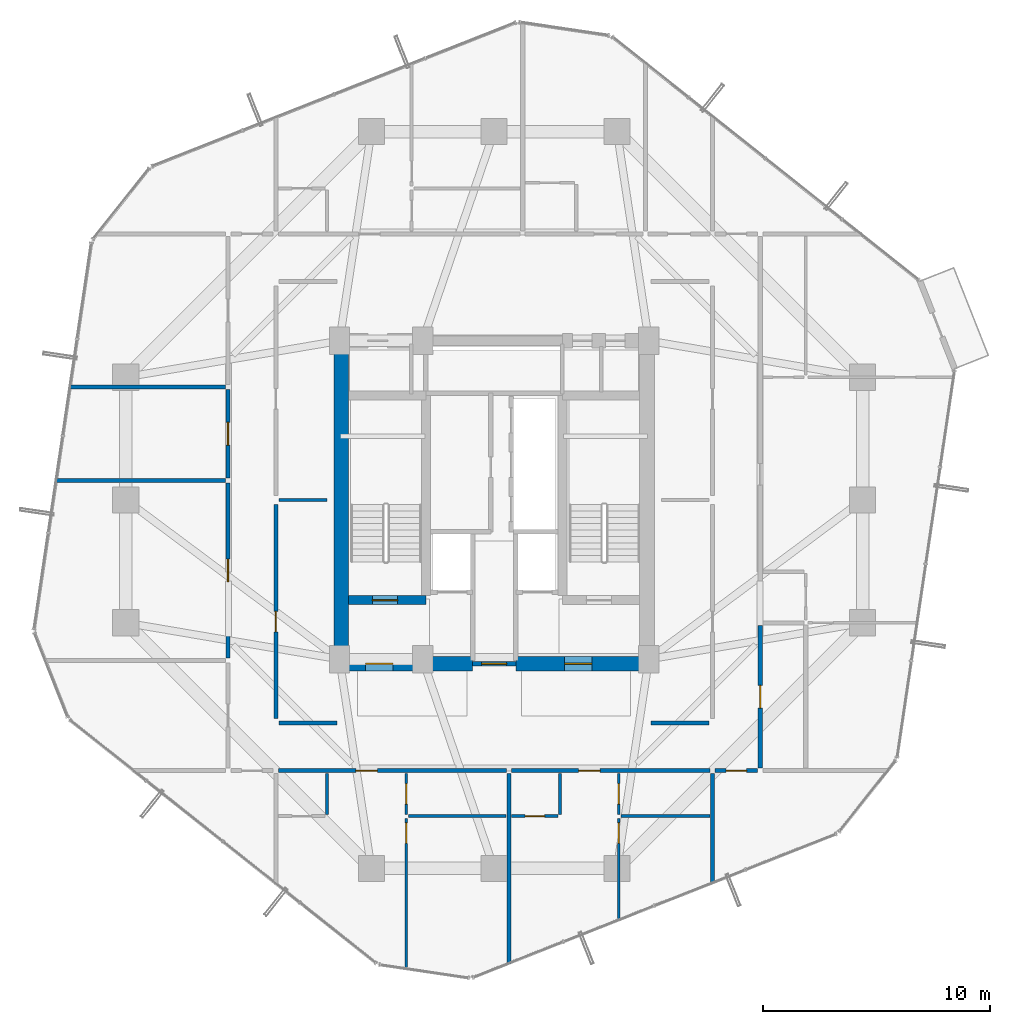
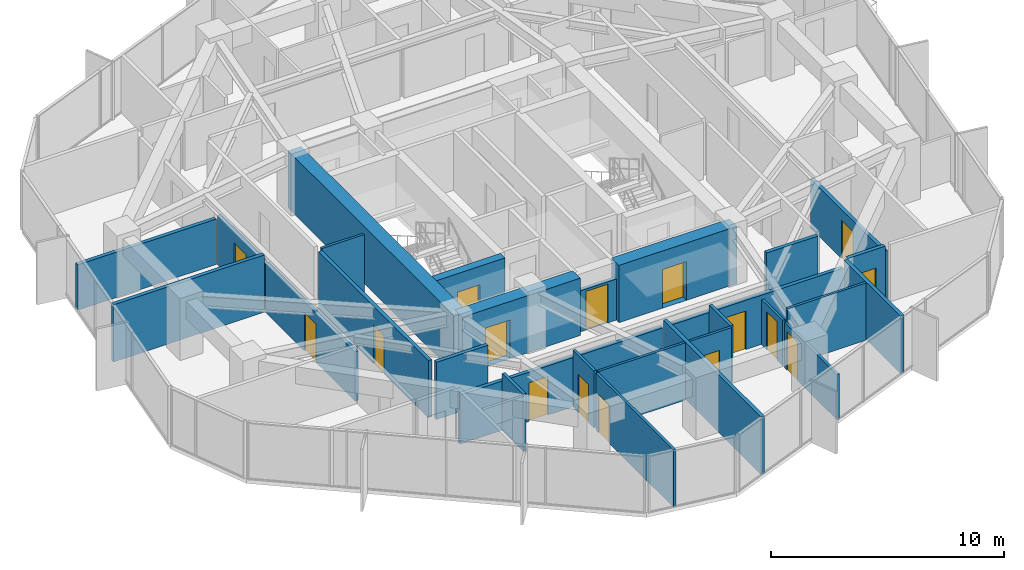
# One storey, part 24 of 29: 28 walls, 16 doors, 16 openings.
"""IFC4 building model written with IfcOpenShell, lengths in metres."""

from ifc_helpers import new_model, si_unit, direction, frame, frame_2d, origin, place, context, subcontext, project, spatial, rectangle, extrude, source, transform, mapped, material, layer, layer_set, type_object, element, fill, save


model = new_model("IFC4")

# Units and contexts
model_context = context("Model", 3, precision=1e-05, world=origin(), true_north=direction((0.0, 1.0)))
body_context = subcontext(model_context, "Body", "Model", "MODEL_VIEW")
ifc_project = project(units=[si_unit("LENGTHUNIT", "METRE"), si_unit("AREAUNIT", "SQUARE_METRE"), si_unit("VOLUMEUNIT", "CUBIC_METRE"), si_unit("PLANEANGLEUNIT", "RADIAN"), si_unit("MASSUNIT", "GRAM", prefix="KILO")], contexts=[model_context])

# Site, building, storey
site_placement = place(None, origin())
site = spatial("IfcSite", under=ifc_project, at=site_placement, CompositionType="ELEMENT")
building_placement = place(site_placement, origin())
building = spatial("IfcBuilding", under=site, at=building_placement, Name="Veraguas Prism Commons", CompositionType="ELEMENT")
storey_placement = place(building_placement, frame((0.0, 0.0, 99.199951171875)))
storey = spatial("IfcBuildingStorey", under=building, at=storey_placement, Name="L27", CompositionType="ELEMENT", Elevation=99.199951171875)

# Wall, opening, door
ifc_material_1 = material(Name="Concrete C50/60", Category="concrete")
ifc_layer_1 = layer(ifc_material_1, 0.39990234375, Name="Clinic and Mid Core Shear Wall RC 400", Category="concrete")
ifc_layer_set_1 = layer_set([ifc_layer_1], Name="Concrete C50/60")
wall_type_1 = type_object("IfcWallType", Name="Clinic and Mid Core Shear Wall RC 400", PredefinedType="SHEAR", material=ifc_layer_set_1)
wall_1_placement = place(storey_placement, frame((17.60009765625, 19.60009765625, 0.0), z_axis=(0.0, 0.0, 1.0), x_axis=(1.0, 0.0, 0.0)))
wall_1 = element("IfcWall", 1, at=wall_1_placement, inside=storey, type_object=wall_type_1, Name="Stair ST-01 South Shear Wall L27", PredefinedType="SHEAR", context=body_context, shape_type="SweptSolid", body=[
    extrude(rectangle(XDim=3.39990234375, YDim=0.39990234375, at=frame_2d((1.699951171875, 0.0))), origin(), (0.0, 0.0, 1.0), 3.0),
])
opening_1_placement = place(wall_1_placement, frame((1.050048828125, 0.0, 0.0)))
opening_1 = element("IfcOpeningElement", 2, at=opening_1_placement, cuts=wall_1, Name="Opening DR-05", PredefinedType="OPENING", context=body_context, shape_type="SweptSolid", body=[
    extrude(rectangle(XDim=1.10009765625, YDim=2.030029296875, at=frame_2d((0.550048828125, 1.01513671875))), frame((0.0, 0.2099609375, 0.0), z_axis=(0.0, -1.0, 0.0), x_axis=(1.0, 0.0, 0.0)), (0.0, 0.0, 1.0), 0.419921875),
])
ifc_material_2 = material(Name="Steel fire-rated door assembly", Category="steel")
door_type_1 = type_object("IfcDoorType", Name="Protected Stair and Refuge Fire Door 1100x2030", OperationType="NOTDEFINED", PredefinedType="DOOR", material=ifc_material_2)
shared_shape_1 = source(origin(), body_context, "Body", "SweptSolid", [
    extrude(rectangle(XDim=1.10009765625, YDim=2.030029296875, at=frame_2d((0.550048828125, 1.01513671875))), frame((0.0, 0.02490234375, 0.0), z_axis=(0.0, -1.0, 0.0), x_axis=(1.0, 0.0, 0.0)), (0.0, 0.0, 1.0), 0.050048828125),
])
door_1_placement = place(opening_1_placement, origin())
door_1 = element("IfcDoor", 3, at=door_1_placement, inside=storey, type_object=door_type_1, Name="Stair ST-01 Enclosure Door L27", OperationType="SINGLE_SWING_LEFT", OverallHeight=2.030029296875, OverallWidth=1.10009765625, PredefinedType="DOOR", context=body_context, shape_type="MappedRepresentation", body=[
    mapped(shared_shape_1, transform((0.0, 0.0, 0.0), scale=1.0)),
])
fill(opening_1, door_1)

# Wall
ifc_material_3 = material(Name="Concrete C55/67", Category="concrete")
ifc_layer_2 = layer(ifc_material_3, 0.64990234375, Name="Core Outer Shear Wall Mid RC 650", Category="concrete")
ifc_layer_set_2 = layer_set([ifc_layer_2], Name="Concrete C55/67")
wall_type_2 = type_object("IfcWallType", Name="Core Outer Shear Wall Mid RC 650", PredefinedType="SHEAR", material=ifc_layer_set_2)
wall_2_placement = place(storey_placement, frame((17.27490234375, 16.800048828125, 0.0), z_axis=(0.0, 0.0, 1.0), x_axis=(0.0, 1.0, 0.0)))
element("IfcWall", 4, at=wall_2_placement, inside=storey, type_object=wall_type_2, Name="Central Core West Shear Wall L27", PredefinedType="SHEAR", context=body_context, shape_type="SweptSolid", body=[
    extrude(rectangle(XDim=14.199951171875, YDim=0.64990234375, at=frame_2d((7.10009765625, 0.0))), origin(), (0.0, 0.0, 1.0), 3.0),
])

# Wall, opening, door
wall_3_placement = place(storey_placement, frame((17.199951171875, 16.800048828125, 0.0), z_axis=(0.0, 0.0, 1.0), x_axis=(1.0, 0.0, 0.0)))
wall_3 = element("IfcWall", 5, at=wall_3_placement, inside=storey, type_object=wall_type_2, Name="Central Core South-West Shear Wall L27", PredefinedType="SHEAR", context=body_context, shape_type="SweptSolid", body=[
    extrude(rectangle(XDim=5.85009765625, YDim=0.64990234375, at=frame_2d((2.925048828125, 0.0))), origin(), (0.0, 0.0, 1.0), 3.0),
])
opening_2_placement = place(wall_3_placement, frame((1.14990234375, 0.0, 0.0)))
opening_2 = element("IfcOpeningElement", 6, at=opening_2_placement, cuts=wall_3, Name="Opening DR-06", PredefinedType="OPENING", context=body_context, shape_type="SweptSolid", body=[
    extrude(rectangle(XDim=1.199951171875, YDim=2.030029296875, at=frame_2d((0.60009765625, 1.01513671875))), frame((0.0, 0.3349609375, 0.0), z_axis=(0.0, -1.0, 0.0), x_axis=(1.0, 0.0, 0.0)), (0.0, 0.0, 1.0), 0.669921875),
])
door_type_2 = type_object("IfcDoorType", Name="Firefighting Lobby Smoke Door 1200x2030", OperationType="NOTDEFINED", PredefinedType="DOOR", material=ifc_material_2)
shared_shape_2 = source(origin(), body_context, "Body", "SweptSolid", [
    extrude(rectangle(XDim=1.199951171875, YDim=2.030029296875, at=frame_2d((0.60009765625, 1.01513671875))), frame((0.0, 0.02490234375, 0.0), z_axis=(0.0, -1.0, 0.0), x_axis=(1.0, 0.0, 0.0)), (0.0, 0.0, 1.0), 0.050048828125),
])
door_2_placement = place(opening_2_placement, origin())
door_2 = element("IfcDoor", 7, at=door_2_placement, inside=storey, type_object=door_type_2, Name="West FF Lobby Door L27", OperationType="SINGLE_SWING_LEFT", OverallHeight=2.030029296875, OverallWidth=1.199951171875, PredefinedType="DOOR", context=body_context, shape_type="MappedRepresentation", body=[
    mapped(shared_shape_2, transform((0.0, 0.0, 0.0), scale=1.0)),
])
fill(opening_2, door_2)

wall_4_placement = place(storey_placement, frame((24.949951171875, 16.800048828125, 0.0), z_axis=(0.0, 0.0, 1.0), x_axis=(1.0, 0.0, 0.0)))
wall_4 = element("IfcWall", 8, at=wall_4_placement, inside=storey, type_object=wall_type_2, Name="Central Core South-East Shear Wall L27", PredefinedType="SHEAR", context=body_context, shape_type="SweptSolid", body=[
    extrude(rectangle(XDim=5.85009765625, YDim=0.64990234375, at=frame_2d((2.925048828125, 0.0))), origin(), (0.0, 0.0, 1.0), 3.0),
])
opening_3_placement = place(wall_4_placement, frame((2.14990234375, 0.0, 0.0)))
opening_3 = element("IfcOpeningElement", 9, at=opening_3_placement, cuts=wall_4, Name="Opening DR-06", PredefinedType="OPENING", context=body_context, shape_type="SweptSolid", body=[
    extrude(rectangle(XDim=1.199951171875, YDim=2.030029296875, at=frame_2d((0.60009765625, 1.01513671875))), frame((0.0, 0.3349609375, 0.0), z_axis=(0.0, -1.0, 0.0), x_axis=(1.0, 0.0, 0.0)), (0.0, 0.0, 1.0), 0.669921875),
])
door_3_placement = place(opening_3_placement, origin())
door_3 = element("IfcDoor", 10, at=door_3_placement, inside=storey, type_object=door_type_2, Name="East FF Lobby Door L27", OperationType="SINGLE_SWING_LEFT", OverallHeight=2.030029296875, OverallWidth=1.199951171875, PredefinedType="DOOR", context=body_context, shape_type="MappedRepresentation", body=[
    mapped(shared_shape_2, transform((0.0, 0.0, 0.0), scale=1.0)),
])
fill(opening_3, door_3)

ifc_material_4 = material(Name="Autoclaved aerated masonry block 10 MPa", Category="masonry")
ifc_layer_3 = layer(ifc_material_4, 0.179931640625, Name="Corridor and Inter-Tenancy Partition 180", Category="masonry")
ifc_layer_set_3 = layer_set([ifc_layer_3], Name="Autoclaved aerated masonry block 10 MPa")
wall_type_3 = type_object("IfcWallType", Name="Corridor and Inter-Tenancy Partition 180", PredefinedType="PARTITIONING", material=ifc_layer_set_3)
wall_5_placement = place(storey_placement, frame((14.39990234375, 14.39990234375, 0.0), z_axis=(0.0, 0.0, 1.0), x_axis=(0.0, 1.0, 0.0)))
wall_5 = element("IfcWall", 11, at=wall_5_placement, inside=storey, type_object=wall_type_3, Name="WL-L27-IRW1", PredefinedType="PARTITIONING", context=body_context, shape_type="SweptSolid", body=[
    extrude(rectangle(XDim=9.400146484375, YDim=0.179931640625, at=frame_2d((4.7001953125, 0.0))), origin(), (0.0, 0.0, 1.0), 3.0),
])
opening_4_placement = place(wall_5_placement, frame((3.800048828125, 0.0, 0.0)))
opening_4 = element("IfcOpeningElement", 12, at=opening_4_placement, cuts=wall_5, Name="Opening DR-14", PredefinedType="OPENING", context=body_context, shape_type="SweptSolid", body=[
    extrude(rectangle(XDim=0.89990234375, YDim=2.010009765625, at=frame_2d((0.449951171875, 1.0048828125))), frame((0.0, 0.099853515625, 0.0), z_axis=(0.0, -1.0, 0.0), x_axis=(1.0, 0.0, 0.0)), (0.0, 0.0, 1.0), 0.199951171875),
])
door_type_3 = type_object("IfcDoorType", Name="Core Service Room Fire Door 900x2010", OperationType="NOTDEFINED", PredefinedType="DOOR", material=ifc_material_2)
shared_shape_3 = source(origin(), body_context, "Body", "SweptSolid", [
    extrude(rectangle(XDim=0.89990234375, YDim=2.010009765625, at=frame_2d((0.449951171875, 1.0048828125))), frame((0.0, 0.02490234375, 0.0), z_axis=(0.0, -1.0, 0.0), x_axis=(1.0, 0.0, 0.0)), (0.0, 0.0, 1.0), 0.050048828125),
])
door_4_placement = place(opening_4_placement, origin())
door_4 = element("IfcDoor", 13, at=door_4_placement, inside=storey, type_object=door_type_3, Name="Residents Quiet Study Pod Door L27", OperationType="SINGLE_SWING_RIGHT", OverallHeight=2.010009765625, OverallWidth=0.89990234375, PredefinedType="DOOR", context=body_context, shape_type="MappedRepresentation", body=[
    mapped(shared_shape_3, transform((0.0, 0.0, 0.0), scale=1.0)),
])
fill(opening_4, door_4)

# Walls
for number, where, z_axis, x_axis, name in (
    (14, (14.550048828125, 14.199951171875, 0.0), (0.0, 0.0, 1.0), (1.0, 0.0, 0.0), "WL-L27-IRWS"),
    (15, (30.89990234375, 14.199951171875, 0.0), (0.0, 0.0, 1.0), (1.0, 0.0, 0.0), "WL-L27-IRES"),
):
    element("IfcWall", number, at=place(storey_placement, frame(where, z_axis=z_axis, x_axis=x_axis)), inside=storey, type_object=wall_type_3, Name=name, PredefinedType="PARTITIONING", context=body_context, shape_type="SweptSolid", body=[
        extrude(rectangle(XDim=2.550048828125, YDim=0.179931640625, at=frame_2d((1.27490234375, 0.0))), origin(), (0.0, 0.0, 1.0), 3.0),
    ])
wall_6_placement = place(storey_placement, frame((33.60009765625, 11.97998046875, 0.0), z_axis=(0.0, 0.0, 1.0), x_axis=(0.0, -1.0, 0.0)))
element("IfcWall", 16, at=wall_6_placement, inside=storey, type_object=wall_type_3, Name="WL-L27-PT002", PredefinedType="PARTITIONING", context=body_context, shape_type="SweptSolid", body=[
    extrude(rectangle(XDim=4.8447265625, YDim=0.179931640625, at=frame_2d((2.42236328125, 0.0))), origin(), (0.0, 0.0, 1.0), 3.0),
])

# Wall, opening, door
wall_7_placement = place(storey_placement, frame((14.510009765625, 12.10009765625, 0.0), z_axis=(0.0, 0.0, 1.0), x_axis=(1.0, 0.0, 0.0)))
wall_7 = element("IfcWall", 17, at=wall_7_placement, inside=storey, type_object=wall_type_3, Name="WL-L27-PT003", PredefinedType="PARTITIONING", context=body_context, shape_type="SweptSolid", body=[
    extrude(rectangle(XDim=10.02392578125, YDim=0.179931640625, at=frame_2d((5.011962890625, 0.0))), origin(), (0.0, 0.0, 1.0), 2.580078125),
])
opening_5_placement = place(wall_7_placement, frame((3.408447265625, 0.0, 0.0)))
opening_5 = element("IfcOpeningElement", 18, at=opening_5_placement, cuts=wall_7, Name="Opening DR-01", PredefinedType="OPENING", context=body_context, shape_type="SweptSolid", body=[
    extrude(rectangle(XDim=0.949951171875, YDim=2.02001953125, at=frame_2d((0.47509765625, 1.010009765625))), frame((0.0, 0.099853515625, 0.0), z_axis=(0.0, -1.0, 0.0), x_axis=(1.0, 0.0, 0.0)), (0.0, 0.0, 1.0), 0.199951171875),
])
ifc_material_5 = material(Name="Anodised aluminium EN AW-6063 T6", Category="aluminium")
door_type_4 = type_object("IfcDoorType", Name="Apartment Entrance Fire Door 950x2020", OperationType="NOTDEFINED", PredefinedType="DOOR", material=ifc_material_5)
shared_shape_4 = source(origin(), body_context, "Body", "SweptSolid", [
    extrude(rectangle(XDim=0.949951171875, YDim=2.02001953125, at=frame_2d((0.47509765625, 1.010009765625))), frame((0.0, 0.02490234375, 0.0), z_axis=(0.0, -1.0, 0.0), x_axis=(1.0, 0.0, 0.0)), (0.0, 0.0, 1.0), 0.050048828125),
])
door_5_placement = place(opening_5_placement, origin())
door_5 = element("IfcDoor", 19, at=door_5_placement, inside=storey, type_object=door_type_4, Name="Flat 27A Entrance Door", OperationType="SINGLE_SWING_RIGHT", OverallHeight=2.02001953125, OverallWidth=0.949951171875, PredefinedType="DOOR", context=body_context, shape_type="MappedRepresentation", body=[
    mapped(shared_shape_4, transform((0.0, 0.0, 0.0), scale=1.0)),
])
fill(opening_5, door_5)

# Wall
wall_8_placement = place(storey_placement, frame((24.64404296875, 11.97998046875, 0.0), z_axis=(0.0, 0.0, 1.0), x_axis=(0.0, -1.0, 0.0)))
element("IfcWall", 20, at=wall_8_placement, inside=storey, type_object=wall_type_3, Name="WL-L27-PT009", PredefinedType="PARTITIONING", context=body_context, shape_type="SweptSolid", body=[
    extrude(rectangle(XDim=8.38330078125, YDim=0.179931640625, at=frame_2d((4.191650390625, 0.0))), origin(), (0.0, 0.0, 1.0), 3.0),
])

# Wall, opening, door
wall_9_placement = place(storey_placement, frame((24.75390625, 12.10009765625, 0.0), z_axis=(0.0, 0.0, 1.0), x_axis=(1.0, 0.0, 0.0)))
wall_9 = element("IfcWall", 21, at=wall_9_placement, inside=storey, type_object=wall_type_3, Name="WL-L27-PT010", PredefinedType="PARTITIONING", context=body_context, shape_type="SweptSolid", body=[
    extrude(rectangle(XDim=8.736083984375, YDim=0.179931640625, at=frame_2d((4.3681640625, 0.0))), origin(), (0.0, 0.0, 1.0), 2.580078125),
])
opening_6_placement = place(wall_9_placement, frame((2.9580078125, 0.0, 0.0)))
opening_6 = element("IfcOpeningElement", 22, at=opening_6_placement, cuts=wall_9, Name="Opening DR-01", PredefinedType="OPENING", context=body_context, shape_type="SweptSolid", body=[
    extrude(rectangle(XDim=0.949951171875, YDim=2.02001953125, at=frame_2d((0.47509765625, 1.010009765625))), frame((0.0, 0.099853515625, 0.0), z_axis=(0.0, -1.0, 0.0), x_axis=(1.0, 0.0, 0.0)), (0.0, 0.0, 1.0), 0.199951171875),
])
door_6_placement = place(opening_6_placement, origin())
door_6 = element("IfcDoor", 23, at=door_6_placement, inside=storey, type_object=door_type_4, Name="Flat 27B Entrance Door", OperationType="SINGLE_SWING_RIGHT", OverallHeight=2.02001953125, OverallWidth=0.949951171875, PredefinedType="DOOR", context=body_context, shape_type="MappedRepresentation", body=[
    mapped(shared_shape_4, transform((0.0, 0.0, 0.0), scale=1.0)),
])
fill(opening_6, door_6)

wall_10_placement = place(storey_placement, frame((12.300048828125, 17.055908203125, 0.0), z_axis=(0.0, 0.0, 1.0), x_axis=(0.0, 1.0, 0.0)))
wall_10 = element("IfcWall", 24, at=wall_10_placement, inside=storey, type_object=wall_type_3, Name="WL-L27-PT033", PredefinedType="PARTITIONING", context=body_context, shape_type="SweptSolid", body=[
    extrude(rectangle(XDim=7.68603515625, YDim=0.179931640625, at=frame_2d((3.843017578125, 0.0))), origin(), (0.0, 0.0, 1.0), 2.580078125),
])
opening_7_placement = place(wall_10_placement, frame((3.343017578125, 0.0, 0.0)))
opening_7 = element("IfcOpeningElement", 25, at=opening_7_placement, cuts=wall_10, Name="Opening DR-13", PredefinedType="OPENING", context=body_context, shape_type="SweptSolid", body=[
    extrude(rectangle(XDim=1.0, YDim=2.010009765625, at=frame_2d((0.5, 1.0048828125))), frame((0.0, 0.099853515625, 0.0), z_axis=(0.0, -1.0, 0.0), x_axis=(1.0, 0.0, 0.0)), (0.0, 0.0, 1.0), 0.199951171875),
])
door_type_5 = type_object("IfcDoorType", Name="Core Accessible WC and Clinic Fire Door 1000x2010", OperationType="NOTDEFINED", PredefinedType="DOOR", material=ifc_material_2)
shared_shape_5 = source(origin(), body_context, "Body", "SweptSolid", [
    extrude(rectangle(XDim=1.0, YDim=2.010009765625, at=frame_2d((0.5, 1.0048828125))), frame((0.0, 0.02490234375, 0.0), z_axis=(0.0, -1.0, 0.0), x_axis=(1.0, 0.0, 0.0)), (0.0, 0.0, 1.0), 0.050048828125),
])
door_7_placement = place(opening_7_placement, origin())
door_7 = element("IfcDoor", 26, at=door_7_placement, inside=storey, type_object=door_type_5, Name="Co-op Store W Door", OperationType="SINGLE_SWING_RIGHT", OverallHeight=2.010009765625, OverallWidth=1.0, PredefinedType="DOOR", context=body_context, shape_type="MappedRepresentation", body=[
    mapped(shared_shape_5, transform((0.0, 0.0, 0.0), scale=1.0)),
])
fill(opening_7, door_7)

# Wall
wall_11_placement = place(storey_placement, frame((12.179931640625, 24.85205078125, 0.0), z_axis=(0.0, 0.0, 1.0), x_axis=(-1.0, 0.0, 0.0)))
element("IfcWall", 27, at=wall_11_placement, inside=storey, type_object=wall_type_3, Name="WL-L27-PT035", PredefinedType="PARTITIONING", context=body_context, shape_type="SweptSolid", body=[
    extrude(rectangle(XDim=7.476318359375, YDim=0.179931640625, at=frame_2d((3.73828125, 0.0))), origin(), (0.0, 0.0, 1.0), 3.0),
])

# Wall, opening, door
wall_12_placement = place(storey_placement, frame((12.300048828125, 24.9619140625, 0.0), z_axis=(0.0, 0.0, 1.0), x_axis=(0.0, 1.0, 0.0)))
wall_12 = element("IfcWall", 28, at=wall_12_placement, inside=storey, type_object=wall_type_3, Name="WL-L27-PT036", PredefinedType="PARTITIONING", context=body_context, shape_type="SweptSolid", body=[
    extrude(rectangle(XDim=3.902099609375, YDim=0.179931640625, at=frame_2d((1.951171875, 0.0))), origin(), (0.0, 0.0, 1.0), 2.580078125),
])
opening_8_placement = place(wall_12_placement, frame((1.450927734375, 0.0, 0.0)))
opening_8 = element("IfcOpeningElement", 29, at=opening_8_placement, cuts=wall_12, Name="Opening DR-13", PredefinedType="OPENING", context=body_context, shape_type="SweptSolid", body=[
    extrude(rectangle(XDim=1.0, YDim=2.010009765625, at=frame_2d((0.5, 1.0048828125))), frame((0.0, 0.099853515625, 0.0), z_axis=(0.0, -1.0, 0.0), x_axis=(1.0, 0.0, 0.0)), (0.0, 0.0, 1.0), 0.199951171875),
])
door_8_placement = place(opening_8_placement, origin())
door_8 = element("IfcDoor", 30, at=door_8_placement, inside=storey, type_object=door_type_5, Name="Shared Laundry Room Door", OperationType="SINGLE_SWING_LEFT", OverallHeight=2.010009765625, OverallWidth=1.0, PredefinedType="DOOR", context=body_context, shape_type="MappedRepresentation", body=[
    mapped(shared_shape_5, transform((0.0, 0.0, 0.0), scale=1.0)),
])
fill(opening_8, door_8)

# Wall
wall_13_placement = place(storey_placement, frame((12.179931640625, 28.97412109375, 0.0), z_axis=(0.0, 0.0, 1.0), x_axis=(-1.0, 0.0, 0.0)))
element("IfcWall", 31, at=wall_13_placement, inside=storey, type_object=wall_type_3, Name="WL-L27-PT038", PredefinedType="PARTITIONING", context=body_context, shape_type="SweptSolid", body=[
    extrude(rectangle(XDim=6.86474609375, YDim=0.179931640625, at=frame_2d((3.432373046875, 0.0))), origin(), (0.0, 0.0, 1.0), 2.3779296875),
])

# Wall, opening, door
wall_14_placement = place(storey_placement, frame((35.699951171875, 12.2099609375, 0.0), z_axis=(0.0, 0.0, 1.0), x_axis=(0.0, 1.0, 0.0)))
wall_14 = element("IfcWall", 32, at=wall_14_placement, inside=storey, type_object=wall_type_3, Name="WL-L27-PT041", PredefinedType="PARTITIONING", context=body_context, shape_type="SweptSolid", body=[
    extrude(rectangle(XDim=6.280029296875, YDim=0.179931640625, at=frame_2d((3.14013671875, 0.0))), origin(), (0.0, 0.0, 1.0), 2.580078125),
])
opening_9_placement = place(wall_14_placement, frame((2.639892578125, 0.0, 0.0)))
opening_9 = element("IfcOpeningElement", 33, at=opening_9_placement, cuts=wall_14, Name="Opening DR-13", PredefinedType="OPENING", context=body_context, shape_type="SweptSolid", body=[
    extrude(rectangle(XDim=1.0, YDim=2.010009765625, at=frame_2d((0.5, 1.0048828125))), frame((0.0, 0.099853515625, 0.0), z_axis=(0.0, -1.0, 0.0), x_axis=(1.0, 0.0, 0.0)), (0.0, 0.0, 1.0), 0.199951171875),
])
door_9_placement = place(opening_9_placement, origin())
door_9 = element("IfcDoor", 34, at=door_9_placement, inside=storey, type_object=door_type_5, Name="Residents Study Alcove 27E Door", OperationType="SINGLE_SWING_LEFT", OverallHeight=2.010009765625, OverallWidth=1.0, PredefinedType="DOOR", context=body_context, shape_type="MappedRepresentation", body=[
    mapped(shared_shape_5, transform((0.0, 0.0, 0.0), scale=1.0)),
])
fill(opening_9, door_9)

wall_15_placement = place(storey_placement, frame((33.719970703125, 12.10009765625, 0.0), z_axis=(0.0, 0.0, 1.0), x_axis=(1.0, 0.0, 0.0)))
wall_15 = element("IfcWall", 35, at=wall_15_placement, inside=storey, type_object=wall_type_3, Name="WL-L27-PT052", PredefinedType="PARTITIONING", context=body_context, shape_type="SweptSolid", body=[
    extrude(rectangle(XDim=1.860107421875, YDim=0.179931640625, at=frame_2d((0.93017578125, 0.0))), origin(), (0.0, 0.0, 1.0), 3.0),
])
opening_10_placement = place(wall_15_placement, frame((0.47998046875, 0.0, 0.0)))
opening_10 = element("IfcOpeningElement", 36, at=opening_10_placement, cuts=wall_15, Name="Opening DR-14", PredefinedType="OPENING", context=body_context, shape_type="SweptSolid", body=[
    extrude(rectangle(XDim=0.89990234375, YDim=2.010009765625, at=frame_2d((0.449951171875, 1.0048828125))), frame((0.0, 0.099853515625, 0.0), z_axis=(0.0, -1.0, 0.0), x_axis=(1.0, 0.0, 0.0)), (0.0, 0.0, 1.0), 0.199951171875),
])
door_10_placement = place(opening_10_placement, origin())
door_10 = element("IfcDoor", 37, at=door_10_placement, inside=storey, type_object=door_type_3, Name="Shared Laundry Room SE Door", OperationType="SINGLE_SWING_RIGHT", OverallHeight=2.010009765625, OverallWidth=0.89990234375, PredefinedType="DOOR", context=body_context, shape_type="MappedRepresentation", body=[
    mapped(shared_shape_3, transform((0.0, 0.0, 0.0), scale=1.0)),
])
fill(opening_10, door_10)

# Wall
ifc_material_6 = material(Name="Lightweight acoustic gypsum board")
ifc_layer_4 = layer(ifc_material_6, 0.125, Name="Internal Apartment Room Partition 125")
ifc_layer_set_4 = layer_set([ifc_layer_4], Name="Lightweight acoustic gypsum board")
wall_type_4 = type_object("IfcWallType", Name="Internal Apartment Room Partition 125", PredefinedType="PARTITIONING", material=ifc_layer_set_4)
wall_16_placement = place(storey_placement, frame((14.550048828125, 24.0, 0.0), z_axis=(0.0, 0.0, 1.0), x_axis=(1.0, 0.0, 0.0)))
element("IfcWall", 38, at=wall_16_placement, inside=storey, type_object=wall_type_4, Name="WL-L27-IRWM", PredefinedType="PARTITIONING", context=body_context, shape_type="SweptSolid", body=[
    extrude(rectangle(XDim=2.099853515625, YDim=0.125, at=frame_2d((1.0498046875, 0.0))), origin(), (0.0, 0.0, 1.0), 3.0),
])

# Wall, opening, door
wall_17_placement = place(storey_placement, frame((20.136962890625, 11.97998046875, 0.0), z_axis=(0.0, 0.0, 1.0), x_axis=(0.0, -1.0, 0.0)))
wall_17 = element("IfcWall", 39, at=wall_17_placement, inside=storey, type_object=wall_type_4, Name="WL-L27-PT006", PredefinedType="PARTITIONING", context=body_context, shape_type="SweptSolid", body=[
    extrude(rectangle(XDim=1.800048828125, YDim=0.125, at=frame_2d((0.89990234375, 0.0))), origin(), (0.0, 0.0, 1.0), 3.0),
])
opening_11_placement = place(wall_17_placement, frame((0.449951171875, 0.0, 0.0)))
opening_11 = element("IfcOpeningElement", 40, at=opening_11_placement, cuts=wall_17, Name="Opening DR-02", PredefinedType="OPENING", context=body_context, shape_type="SweptSolid", body=[
    extrude(rectangle(XDim=0.89990234375, YDim=2.010009765625, at=frame_2d((0.449951171875, 1.0048828125))), frame((0.0, 0.072509765625, 0.0), z_axis=(0.0, -1.0, 0.0), x_axis=(1.0, 0.0, 0.0)), (0.0, 0.0, 1.0), 0.14501953125),
])
ifc_material_7 = material(Name="Timber solid core hardwood", Category="wood")
door_type_6 = type_object("IfcDoorType", Name="Internal Habitable Room Door 900x2010", OperationType="NOTDEFINED", PredefinedType="DOOR", material=ifc_material_7)
door_11_placement = place(opening_11_placement, origin())
door_11 = element("IfcDoor", 41, at=door_11_placement, inside=storey, type_object=door_type_6, Name="Flat 27A Kitchen Door", OperationType="SINGLE_SWING_RIGHT", OverallHeight=2.010009765625, OverallWidth=0.89990234375, PredefinedType="DOOR", context=body_context, shape_type="MappedRepresentation", body=[
    mapped(shared_shape_3, transform((0.0, 0.0, 0.0), scale=1.0)),
])
fill(opening_11, door_11)

# Wall
wall_18_placement = place(storey_placement, frame((20.237060546875, 10.10009765625, 0.0), z_axis=(0.0, 0.0, 1.0), x_axis=(1.0, 0.0, 0.0)))
element("IfcWall", 42, at=wall_18_placement, inside=storey, type_object=wall_type_4, Name="WL-L27-PT007", PredefinedType="PARTITIONING", context=body_context, shape_type="SweptSolid", body=[
    extrude(rectangle(XDim=4.286865234375, YDim=0.125, at=frame_2d((2.1435546875, 0.0))), origin(), (0.0, 0.0, 1.0), 3.0),
])

# Wall, opening, door
wall_19_placement = place(storey_placement, frame((20.136962890625, 10.0, 0.0), z_axis=(0.0, 0.0, 1.0), x_axis=(0.0, -1.0, 0.0)))
wall_19 = element("IfcWall", 43, at=wall_19_placement, inside=storey, type_object=wall_type_4, Name="WL-L27-PT008", PredefinedType="PARTITIONING", context=body_context, shape_type="SweptSolid", body=[
    extrude(rectangle(XDim=6.6376953125, YDim=0.125, at=frame_2d((3.31884765625, 0.0))), origin(), (0.0, 0.0, 1.0), 3.0),
])
opening_12_placement = place(wall_19_placement, frame((0.199951171875, 0.0, 0.0)))
opening_12 = element("IfcOpeningElement", 44, at=opening_12_placement, cuts=wall_19, Name="Opening DR-02", PredefinedType="OPENING", context=body_context, shape_type="SweptSolid", body=[
    extrude(rectangle(XDim=0.89990234375, YDim=2.010009765625, at=frame_2d((0.449951171875, 1.0048828125))), frame((0.0, 0.072509765625, 0.0), z_axis=(0.0, -1.0, 0.0), x_axis=(1.0, 0.0, 0.0)), (0.0, 0.0, 1.0), 0.14501953125),
])
door_12_placement = place(opening_12_placement, origin())
door_12 = element("IfcDoor", 45, at=door_12_placement, inside=storey, type_object=door_type_6, Name="Flat 27A Bedroom 1 Door", OperationType="SINGLE_SWING_LEFT", OverallHeight=2.010009765625, OverallWidth=0.89990234375, PredefinedType="DOOR", context=body_context, shape_type="MappedRepresentation", body=[
    mapped(shared_shape_3, transform((0.0, 0.0, 0.0), scale=1.0)),
])
fill(opening_12, door_12)

wall_20_placement = place(storey_placement, frame((24.763916015625, 10.10009765625, 0.0), z_axis=(0.0, 0.0, 1.0), x_axis=(1.0, 0.0, 0.0)))
wall_20 = element("IfcWall", 46, at=wall_20_placement, inside=storey, type_object=wall_type_4, Name="WL-L27-PT012", PredefinedType="PARTITIONING", context=body_context, shape_type="SweptSolid", body=[
    extrude(rectangle(XDim=2.050048828125, YDim=0.125, at=frame_2d((1.02490234375, 0.0))), origin(), (0.0, 0.0, 1.0), 3.0),
])
opening_13_placement = place(wall_20_placement, frame((0.594970703125, 0.0, 0.0)))
opening_13 = element("IfcOpeningElement", 47, at=opening_13_placement, cuts=wall_20, Name="Opening DR-03", PredefinedType="OPENING", context=body_context, shape_type="SweptSolid", body=[
    extrude(rectangle(XDim=0.860107421875, YDim=2.010009765625, at=frame_2d((0.43017578125, 1.0048828125))), frame((0.0, 0.072509765625, 0.0), z_axis=(0.0, -1.0, 0.0), x_axis=(1.0, 0.0, 0.0)), (0.0, 0.0, 1.0), 0.14501953125),
])
ifc_material_8 = material(Name="Timber moisture-resistant leaf", Category="wood")
door_type_7 = type_object("IfcDoorType", Name="Internal Bathroom Door 860x2010", OperationType="NOTDEFINED", PredefinedType="DOOR", material=ifc_material_8)
shared_shape_6 = source(origin(), body_context, "Body", "SweptSolid", [
    extrude(rectangle(XDim=0.860107421875, YDim=2.010009765625, at=frame_2d((0.43017578125, 1.0048828125))), frame((0.0, 0.02490234375, 0.0), z_axis=(0.0, -1.0, 0.0), x_axis=(1.0, 0.0, 0.0)), (0.0, 0.0, 1.0), 0.050048828125),
])
door_13_placement = place(opening_13_placement, origin())
door_13 = element("IfcDoor", 48, at=door_13_placement, inside=storey, type_object=door_type_7, Name="Flat 27B Bathroom Door", OperationType="SINGLE_SWING_LEFT", OverallHeight=2.010009765625, OverallWidth=0.860107421875, PredefinedType="DOOR", context=body_context, shape_type="MappedRepresentation", body=[
    mapped(shared_shape_6, transform((0.0, 0.0, 0.0), scale=1.0)),
])
fill(opening_13, door_13)

wall_21_placement = place(storey_placement, frame((29.47998046875, 11.97998046875, 0.0), z_axis=(0.0, 0.0, 1.0), x_axis=(0.0, -1.0, 0.0)))
wall_21 = element("IfcWall", 49, at=wall_21_placement, inside=storey, type_object=wall_type_4, Name="WL-L27-PT013", PredefinedType="PARTITIONING", context=body_context, shape_type="SweptSolid", body=[
    extrude(rectangle(XDim=1.800048828125, YDim=0.125, at=frame_2d((0.89990234375, 0.0))), origin(), (0.0, 0.0, 1.0), 2.3779296875),
])
opening_14_placement = place(wall_21_placement, frame((0.449951171875, 0.0, 0.0)))
opening_14 = element("IfcOpeningElement", 50, at=opening_14_placement, cuts=wall_21, Name="Opening DR-02", PredefinedType="OPENING", context=body_context, shape_type="SweptSolid", body=[
    extrude(rectangle(XDim=0.89990234375, YDim=2.010009765625, at=frame_2d((0.449951171875, 1.0048828125))), frame((0.0, 0.072509765625, 0.0), z_axis=(0.0, -1.0, 0.0), x_axis=(1.0, 0.0, 0.0)), (0.0, 0.0, 1.0), 0.14501953125),
])
door_14_placement = place(opening_14_placement, origin())
door_14 = element("IfcDoor", 51, at=door_14_placement, inside=storey, type_object=door_type_6, Name="Flat 27B Kitchen Door", OperationType="SINGLE_SWING_RIGHT", OverallHeight=2.010009765625, OverallWidth=0.89990234375, PredefinedType="DOOR", context=body_context, shape_type="MappedRepresentation", body=[
    mapped(shared_shape_3, transform((0.0, 0.0, 0.0), scale=1.0)),
])
fill(opening_14, door_14)

# Wall
wall_22_placement = place(storey_placement, frame((29.580078125, 10.10009765625, 0.0), z_axis=(0.0, 0.0, 1.0), x_axis=(1.0, 0.0, 0.0)))
element("IfcWall", 52, at=wall_22_placement, inside=storey, type_object=wall_type_4, Name="WL-L27-PT014", PredefinedType="PARTITIONING", context=body_context, shape_type="SweptSolid", body=[
    extrude(rectangle(XDim=3.89990234375, YDim=0.125, at=frame_2d((1.949951171875, 0.0))), origin(), (0.0, 0.0, 1.0), 3.0),
])

# Wall, opening, door
wall_23_placement = place(storey_placement, frame((29.47998046875, 10.0, 0.0), z_axis=(0.0, 0.0, 1.0), x_axis=(0.0, -1.0, 0.0)))
wall_23 = element("IfcWall", 53, at=wall_23_placement, inside=storey, type_object=wall_type_4, Name="WL-L27-PT015", PredefinedType="PARTITIONING", context=body_context, shape_type="SweptSolid", body=[
    extrude(rectangle(XDim=4.49267578125, YDim=0.125, at=frame_2d((2.246337890625, 0.0))), origin(), (0.0, 0.0, 1.0), 2.3779296875),
])
opening_15_placement = place(wall_23_placement, frame((0.199951171875, 0.0, 0.0)))
opening_15 = element("IfcOpeningElement", 54, at=opening_15_placement, cuts=wall_23, Name="Opening DR-02", PredefinedType="OPENING", context=body_context, shape_type="SweptSolid", body=[
    extrude(rectangle(XDim=0.89990234375, YDim=2.010009765625, at=frame_2d((0.449951171875, 1.0048828125))), frame((0.0, 0.072509765625, 0.0), z_axis=(0.0, -1.0, 0.0), x_axis=(1.0, 0.0, 0.0)), (0.0, 0.0, 1.0), 0.14501953125),
])
door_15_placement = place(opening_15_placement, origin())
door_15 = element("IfcDoor", 55, at=door_15_placement, inside=storey, type_object=door_type_6, Name="Flat 27B Bedroom 1 Door", OperationType="SINGLE_SWING_LEFT", OverallHeight=2.010009765625, OverallWidth=0.89990234375, PredefinedType="DOOR", context=body_context, shape_type="MappedRepresentation", body=[
    mapped(shared_shape_3, transform((0.0, 0.0, 0.0), scale=1.0)),
])
fill(opening_15, door_15)

ifc_layer_5 = layer(ifc_material_4, 0.199951171875, Name="Rated Shaft and Lobby Block Wall 200", Category="masonry")
ifc_layer_set_5 = layer_set([ifc_layer_5], Name="Autoclaved aerated masonry block 10 MPa")
wall_type_5 = type_object("IfcWallType", Name="Rated Shaft and Lobby Block Wall 200", PredefinedType="SOLIDWALL", material=ifc_layer_set_5)
wall_24_placement = place(storey_placement, frame((23.050048828125, 16.800048828125, 0.0), z_axis=(0.0, 0.0, 1.0), x_axis=(1.0, 0.0, 0.0)))
wall_24 = element("IfcWall", 56, at=wall_24_placement, inside=storey, type_object=wall_type_5, Name="Central Core Lobby Entrance Wall L27", PredefinedType="SOLIDWALL", context=body_context, shape_type="SweptSolid", body=[
    extrude(rectangle(XDim=1.89990234375, YDim=0.199951171875, at=frame_2d((0.949951171875, 0.0))), origin(), (0.0, 0.0, 1.0), 2.150146484375),
])
opening_16_placement = place(wall_24_placement, frame((0.39990234375, 0.0, 0.0)))
opening_16 = element("IfcOpeningElement", 57, at=opening_16_placement, cuts=wall_24, Name="Opening DR-05", PredefinedType="OPENING", context=body_context, shape_type="SweptSolid", body=[
    extrude(rectangle(XDim=1.10009765625, YDim=2.030029296875, at=frame_2d((0.550048828125, 1.01513671875))), frame((0.0, 0.10986328125, 0.0), z_axis=(0.0, -1.0, 0.0), x_axis=(1.0, 0.0, 0.0)), (0.0, 0.0, 1.0), 0.219970703125),
])
door_16_placement = place(opening_16_placement, origin())
door_16 = element("IfcDoor", 58, at=door_16_placement, inside=storey, type_object=door_type_1, Name="Central Lobby Door L27", OperationType="SINGLE_SWING_RIGHT", OverallHeight=2.030029296875, OverallWidth=1.10009765625, PredefinedType="DOOR", context=body_context, shape_type="MappedRepresentation", body=[
    mapped(shared_shape_1, transform((0.0, 0.0, 0.0), scale=1.0)),
])
fill(opening_16, door_16)

# Walls
ifc_layer_6 = layer(ifc_material_6, 0.14990234375, Name="Wet Room and Clinic Acoustic Partition 150")
ifc_layer_set_6 = layer_set([ifc_layer_6], Name="Lightweight acoustic gypsum board")
wall_type_6 = type_object("IfcWallType", Name="Wet Room and Clinic Acoustic Partition 150", PredefinedType="PARTITIONING", material=ifc_layer_set_6)
for number, where, z_axis, x_axis, name in (
    (59, (16.64990234375, 11.97998046875, 0.0), (0.0, 0.0, 1.0), (0.0, -1.0, 0.0), "WL-L27-PT004"),
    (60, (26.89404296875, 11.97998046875, 0.0), (0.0, 0.0, 1.0), (0.0, -1.0, 0.0), "WL-L27-PT011"),
):
    element("IfcWall", number, at=place(storey_placement, frame(where, z_axis=z_axis, x_axis=x_axis)), inside=storey, type_object=wall_type_6, Name=name, PredefinedType="PARTITIONING", context=body_context, shape_type="SweptSolid", body=[
        extrude(rectangle(XDim=1.800048828125, YDim=0.14990234375, at=frame_2d((0.89990234375, 0.0))), origin(), (0.0, 0.0, 1.0), 3.0),
    ])

save(model, "model.ifc")
